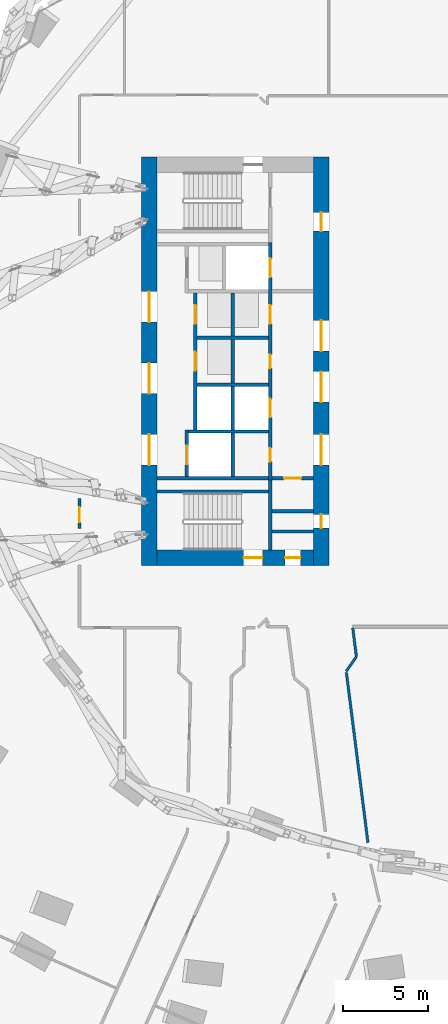
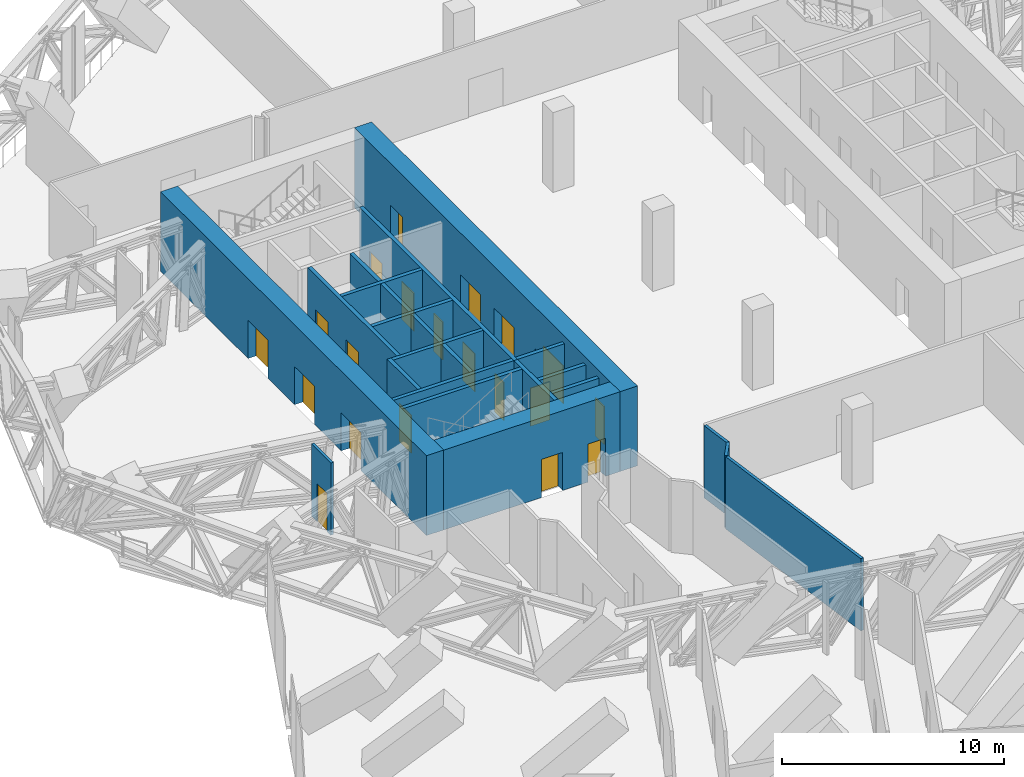
# One storey, part 28 of 39: 23 walls, 20 doors, 20 openings.
"""IFC4 building model written with IfcOpenShell, lengths in metres."""

import ifcopenshell
import ifcopenshell.guid

model = None  # the IFC model being written
_history = None  # IfcOwnerHistory: only IFC2X3 demands one
_inside = {}  # id of a spatial element -> (the spatial element, [elements in it])
_under = {}  # id of a project, library or spatial element -> (it, [spatial elements below it])
_declared = {}  # id of a project -> (the project, [libraries it declares])
_typed = {}  # id of a type object -> (the type object, [elements of that type])
_made_of = {}  # id of a material, layer set ... -> (it, [elements and type objects made of it])


def new_model(schema):
    """Start an empty IFC model of exactly this schema.

    Asked for "IFC4X3", IfcOpenShell would pick the latest addendum, in which some entities
    have other attributes; the version numbers below select the first issue.
    IFC2X3 requires an IfcOwnerHistory on every rooted entity: one is made here for all.
    """
    global model, _history
    if schema == "IFC4X3":
        model = ifcopenshell.file(schema_version=(4, 3, 0, 0))
    else:
        model = ifcopenshell.file(schema=schema)
    _inside.clear()
    _under.clear()
    _declared.clear()
    _typed.clear()
    _made_of.clear()
    _history = None
    if model.schema == "IFC2X3":
        org = make("IfcOrganization", Name="unknown")
        user = make(
            "IfcPersonAndOrganization",
            ThePerson=make("IfcPerson", FamilyName="unknown"),
            TheOrganization=org,
        )
        app = make(
            "IfcApplication",
            ApplicationDeveloper=org,
            Version="unknown",
            ApplicationFullName="unknown",
            ApplicationIdentifier="unknown",
        )
        _history = make(
            "IfcOwnerHistory",
            OwningUser=user,
            OwningApplication=app,
            ChangeAction="ADDED",
            CreationDate=0,
        )
    return model


def make(cls, **values):
    """One entity of the class cls with the attributes given. An attribute that is None is left unset."""
    return model.create_entity(
        cls, **{name: value for name, value in values.items() if value is not None}
    )


def rooted(cls, **values):
    """An entity with a GlobalId (a new one), such as an element, a storey or a relation."""
    return make(cls, GlobalId=ifcopenshell.guid.new(), OwnerHistory=_history, **values)


def si_unit(unit_type, name, prefix=None):
    """IfcSIUnit, for example si_unit("LENGTHUNIT", "METRE", prefix="MILLI")."""
    return make("IfcSIUnit", UnitType=unit_type, Prefix=prefix, Name=name)


def assignment(units):
    """IfcUnitAssignment: the units of a project."""
    return None if units is None else make("IfcUnitAssignment", Units=units)


def point(xyz):
    """IfcCartesianPoint."""
    return None if xyz is None else make("IfcCartesianPoint", Coordinates=xyz)


def direction(xyz):
    """IfcDirection."""
    return None if xyz is None else make("IfcDirection", DirectionRatios=xyz)


def frame(location, z_axis=None, x_axis=None):
    """IfcAxis2Placement3D, a coordinate frame: its origin and axes. An axis left out is left unset."""
    return make(
        "IfcAxis2Placement3D",
        Location=point(location),
        Axis=direction(z_axis),
        RefDirection=direction(x_axis),
    )


def frame_2d(location, x_axis=None):
    """IfcAxis2Placement2D, a coordinate frame in the plane: its origin and x axis."""
    return make(
        "IfcAxis2Placement2D", Location=point(location), RefDirection=direction(x_axis)
    )


def origin():
    """The frame at (0, 0, 0) with its axes left unset."""
    return frame((0.0, 0.0, 0.0))


def place(relative_to, where):
    """IfcLocalPlacement: puts the frame where relative to a parent placement (None: the world)."""
    return make(
        "IfcLocalPlacement", PlacementRelTo=relative_to, RelativePlacement=where
    )


def context(
    kind, dimensions, precision=None, world=None, true_north=None, identifier=None
):
    """IfcGeometricRepresentationContext, for example the 3D "Model" context."""
    return make(
        "IfcGeometricRepresentationContext",
        ContextIdentifier=identifier,
        ContextType=kind,
        CoordinateSpaceDimension=dimensions,
        Precision=precision,
        WorldCoordinateSystem=world,
        TrueNorth=true_north,
    )


def subcontext(parent, identifier, kind, view, scale=None):
    """IfcGeometricRepresentationSubContext, for example "Body" below "Model"."""
    return make(
        "IfcGeometricRepresentationSubContext",
        ContextIdentifier=identifier,
        ContextType=kind,
        ParentContext=parent,
        TargetScale=scale,
        TargetView=view,
    )


def project(units=None, contexts=None):
    """IfcProject with its units and contexts."""
    return rooted(
        "IfcProject",
        Name="project",
        RepresentationContexts=contexts,
        UnitsInContext=assignment(units),
    )


def spatial(cls, under=None, at=None, **own):
    """A site, building, storey or space (cls), placed at a placement, below another one or the project."""
    s = rooted(cls, ObjectPlacement=at, **own)
    if under is not None:
        _under.setdefault(under.id(), (under, []))[1].append(s)
    return s


def profile(cls, at=None, kind="AREA", **sizes):
    """A parametric profile (cls). Its sizes go by their IFC names, for example OverallWidth=200.0."""
    return make(cls, ProfileType=kind, Position=at, **sizes)


def rectangle(**sizes):
    """IfcRectangleProfileDef."""
    return profile("IfcRectangleProfileDef", **sizes)


def extrude(swept, where, along, depth):
    """IfcExtrudedAreaSolid: the profile swept, set in the frame where, extruded along a direction by depth."""
    return make(
        "IfcExtrudedAreaSolid",
        SweptArea=swept,
        Position=where,
        ExtrudedDirection=direction(along),
        Depth=depth,
    )


def shape(context_of_items, identifier, shape_type, items):
    """IfcShapeRepresentation: the items that make up one representation, for example the "Body"."""
    return make(
        "IfcShapeRepresentation",
        ContextOfItems=context_of_items,
        RepresentationIdentifier=identifier,
        RepresentationType=shape_type,
        Items=items,
    )


def material(Name=None, Category=None):
    """IfcMaterial."""
    return make("IfcMaterial", Name=Name, Category=Category)


def layer(
    of_material, thickness, ventilated=None, Name=None, Category=None, Priority=None
):
    """IfcMaterialLayer: one layer of a wall or slab, of a material (None: an air gap)."""
    return make(
        "IfcMaterialLayer",
        Material=of_material,
        LayerThickness=thickness,
        IsVentilated=ventilated,
        Name=Name,
        Category=Category,
        Priority=Priority,
    )


def layer_set(layers, Name=None):
    """IfcMaterialLayerSet."""
    return make("IfcMaterialLayerSet", MaterialLayers=layers, LayerSetName=Name)


def made_of(thing, what):
    """Note that an element or type object is made of a material, layer set ...; save() writes the relation."""
    if what is not None:
        _made_of.setdefault(what.id(), (what, []))[1].append(thing)
    return thing


def type_object(cls, material=None, **own):
    """A type object (cls), such as IfcWallType, which elements share."""
    return made_of(rooted(cls, **own), material)


def element(
    cls,
    number,
    at=None,
    inside=None,
    cuts=None,
    type_object=None,
    material=None,
    context=None,
    identifier="Body",
    shape_type=None,
    held_by="IfcProductDefinitionShape",
    body=None,
    shapes=None,
    **own,
):
    """One element of the class cls, such as IfcWall. Its Tag is "e" and its number.

    at: its placement. inside: the storey or other place that contains it. cuts: it is an
    opening in that element (IfcRelVoidsElement). A single representation is given by context,
    identifier, shape_type and body (its items); several are given by shapes. held_by: the class
    of the entity that holds the representations. save() writes the other relations.
    """
    e = rooted(cls, Tag="e%d" % number, ObjectPlacement=at, **own)
    if body is not None:
        shapes = [shape(context, identifier, shape_type, body)]
    if shapes is not None:
        e.Representation = make(held_by, Representations=shapes)
    if inside is not None:
        _inside.setdefault(inside.id(), (inside, []))[1].append(e)
    if cuts is not None:
        rooted(
            "IfcRelVoidsElement", RelatingBuildingElement=cuts, RelatedOpeningElement=e
        )
    if type_object is not None:
        _typed.setdefault(type_object.id(), (type_object, []))[1].append(e)
    return made_of(e, material)


def fill(opening, filler):
    """IfcRelFillsElement: the door or window that sits in an opening."""
    return rooted(
        "IfcRelFillsElement",
        RelatingOpeningElement=opening,
        RelatedBuildingElement=filler,
    )


def aggregate(whole, parts):
    """IfcRelAggregates: a whole, such as a stair, and the parts it consists of."""
    return rooted("IfcRelAggregates", RelatingObject=whole, RelatedObjects=parts)


def save(model, path):
    """Write the relations noted so far, then the file.

    IfcRelAggregates (storeys below a building ...), IfcRelContainedInSpatialStructure (elements
    in a storey), IfcRelDefinesByType, IfcRelAssociatesMaterial and IfcRelDeclares: one each for
    every whole, place, type object, material and project.
    """
    for whole, parts in _under.values():
        aggregate(whole, parts)
    for where, things in _inside.values():
        rooted(
            "IfcRelContainedInSpatialStructure",
            RelatedElements=things,
            RelatingStructure=where,
        )
    for kind, things in _typed.values():
        rooted("IfcRelDefinesByType", RelatedObjects=things, RelatingType=kind)
    for what, things in _made_of.values():
        rooted("IfcRelAssociatesMaterial", RelatedObjects=things, RelatingMaterial=what)
    for by, libraries in _declared.values():
        rooted("IfcRelDeclares", RelatingContext=by, RelatedDefinitions=libraries)
    model.write(path)


model = new_model("IFC4")

# Units and contexts
model_context = context("Model", 3, precision=1e-05, world=origin(), true_north=direction((0.0, 1.0)))
body_context = subcontext(model_context, "Body", "Model", "MODEL_VIEW")
ifc_project = project(units=[si_unit("LENGTHUNIT", "METRE"), si_unit("AREAUNIT", "SQUARE_METRE"), si_unit("VOLUMEUNIT", "CUBIC_METRE"), si_unit("PLANEANGLEUNIT", "RADIAN"), si_unit("MASSUNIT", "GRAM", prefix="KILO")], contexts=[model_context])

# Site, building, storey
site_placement = place(None, origin())
site = spatial("IfcSite", under=ifc_project, at=site_placement, CompositionType="ELEMENT")
building_placement = place(site_placement, origin())
building = spatial("IfcBuilding", under=site, at=building_placement, Name="Orlundy Tower", CompositionType="ELEMENT")
storey_placement = place(building_placement, frame((0.0, 0.0, 141.199951171875)))
storey = spatial("IfcBuildingStorey", under=building, at=storey_placement, Name="L36", CompositionType="ELEMENT", Elevation=141.199951171875)

# Wall, openings, doors
ifc_material_1 = material(Name="Concrete C80/95", Category="concrete")
ifc_layer_1 = layer(ifc_material_1, 0.89990234375)
ifc_layer_set_1 = layer_set([ifc_layer_1], Name="CORE WALL 900 C80/95")
wall_type_1 = type_object("IfcWallType", Name="CORE WALL 900 C80/95", PredefinedType="SHEAR", material=ifc_layer_set_1)
wall_1_placement = place(storey_placement, frame((-18.10009765625, -11.550048828125, 0.0), z_axis=(0.0, 0.0, 1.0), x_axis=(1.0, 0.0, 0.0)))
wall_1 = element("IfcWall", 1, at=wall_1_placement, inside=storey, type_object=wall_type_1, Name="Core wall W-S L36", PredefinedType="SHEAR", context=body_context, shape_type="SweptSolid", body=[
    extrude(rectangle(XDim=9.2001953125, YDim=0.89990234375, at=frame_2d((4.60009765625, 0.0))), origin(), (0.0, 0.0, 1.0), 4.400146484375),
])
opening_1_placement = place(wall_1_placement, frame((5.10009765625, 0.0, 0.0)))
opening_1 = element("IfcOpeningElement", 2, at=opening_1_placement, cuts=wall_1, Name="Opening 27018", PredefinedType="OPENING", context=body_context, shape_type="SweptSolid", body=[
    extrude(rectangle(XDim=1.10009765625, YDim=2.10009765625, at=frame_2d((0.550048828125, 1.050048828125))), frame((0.0, 0.4599609375, 0.0), z_axis=(0.0, -1.0, 0.0), x_axis=(1.0, 0.0, 0.0)), (0.0, 0.0, 1.0), 0.919921875),
])
opening_2_placement = place(wall_1_placement, frame((7.530029296875, 0.0, 0.0)))
opening_2 = element("IfcOpeningElement", 3, at=opening_2_placement, cuts=wall_1, Name="Opening 27020", PredefinedType="OPENING", context=body_context, shape_type="SweptSolid", body=[
    extrude(rectangle(XDim=0.89990234375, YDim=2.10009765625, at=frame_2d((0.449951171875, 1.050048828125))), frame((0.0, 0.4599609375, 0.0), z_axis=(0.0, -1.0, 0.0), x_axis=(1.0, 0.0, 0.0)), (0.0, 0.0, 1.0), 0.919921875),
])
ifc_material_2 = material(Name="Timber door set", Category="wood")
door_type_1 = type_object("IfcDoorType", Name="Room Door 900x2100", OperationType="SINGLE_SWING_LEFT", PredefinedType="DOOR", material=ifc_material_2)
door_1_placement = place(opening_2_placement, origin())
door_1 = element("IfcDoor", 4, at=door_1_placement, inside=storey, type_object=door_type_1, Name="Store door 27020", OperationType="SINGLE_SWING_RIGHT", OverallHeight=2.10009765625, OverallWidth=0.89990234375, PredefinedType="DOOR", context=body_context, shape_type="SweptSolid", body=[
    extrude(rectangle(XDim=0.89990234375, YDim=2.10009765625, at=frame_2d((0.449951171875, 1.050048828125))), frame((0.0, 0.02490234375, 0.0), z_axis=(0.0, -1.0, 0.0), x_axis=(1.0, 0.0, 0.0)), (0.0, 0.0, 1.0), 0.050048828125),
])
fill(opening_2, door_1)
ifc_material_3 = material(Name="Steel door set", Category="steel")
door_type_2 = type_object("IfcDoorType", Name="Stair Door 1100x2100", OperationType="SINGLE_SWING_LEFT", PredefinedType="DOOR", material=ifc_material_3)
door_2_placement = place(opening_1_placement, origin())
door_2 = element("IfcDoor", 5, at=door_2_placement, inside=storey, type_object=door_type_2, Name="Stair door 27018", OperationType="SINGLE_SWING_RIGHT", OverallHeight=2.10009765625, OverallWidth=1.10009765625, PredefinedType="DOOR", context=body_context, shape_type="SweptSolid", body=[
    extrude(rectangle(XDim=1.10009765625, YDim=2.10009765625, at=frame_2d((0.550048828125, 1.050048828125))), frame((0.0, 0.02490234375, 0.0), z_axis=(0.0, -1.0, 0.0), x_axis=(1.0, 0.0, 0.0)), (0.0, 0.0, 1.0), 0.050048828125),
])
fill(opening_1, door_2)

wall_2_placement = place(storey_placement, frame((-18.550048828125, -12.0, 0.0), z_axis=(0.0, 0.0, 1.0), x_axis=(0.0, 1.0, 0.0)))
wall_2 = element("IfcWall", 6, at=wall_2_placement, inside=storey, type_object=wall_type_1, Name="Core wall W-W L36", PredefinedType="SHEAR", context=body_context, shape_type="SweptSolid", body=[
    extrude(rectangle(XDim=24.0, YDim=0.89990234375, at=frame_2d((12.0, 0.0))), origin(), (0.0, 0.0, 1.0), 4.400146484375),
])
opening_3_placement = place(wall_2_placement, frame((5.89990234375, 0.0, 0.0)))
opening_3 = element("IfcOpeningElement", 7, at=opening_3_placement, cuts=wall_2, Name="Opening 27011", PredefinedType="OPENING", context=body_context, shape_type="SweptSolid", body=[
    extrude(rectangle(XDim=1.800048828125, YDim=2.10009765625, at=frame_2d((0.89990234375, 1.050048828125))), frame((0.0, 0.4599609375, 0.0), z_axis=(0.0, -1.0, 0.0), x_axis=(1.0, 0.0, 0.0)), (0.0, 0.0, 1.0), 0.919921875),
])
opening_4_placement = place(wall_2_placement, frame((10.10009765625, 0.0, 0.0)))
opening_4 = element("IfcOpeningElement", 8, at=opening_4_placement, cuts=wall_2, Name="Opening 27012", PredefinedType="OPENING", context=body_context, shape_type="SweptSolid", body=[
    extrude(rectangle(XDim=1.800048828125, YDim=2.10009765625, at=frame_2d((0.89990234375, 1.050048828125))), frame((0.0, 0.4599609375, 0.0), z_axis=(0.0, -1.0, 0.0), x_axis=(1.0, 0.0, 0.0)), (0.0, 0.0, 1.0), 0.919921875),
])
opening_5_placement = place(wall_2_placement, frame((14.300048828125, 0.0, 0.0)))
opening_5 = element("IfcOpeningElement", 9, at=opening_5_placement, cuts=wall_2, Name="Opening 27013", PredefinedType="OPENING", context=body_context, shape_type="SweptSolid", body=[
    extrude(rectangle(XDim=1.800048828125, YDim=2.10009765625, at=frame_2d((0.89990234375, 1.050048828125))), frame((0.0, 0.4599609375, 0.0), z_axis=(0.0, -1.0, 0.0), x_axis=(1.0, 0.0, 0.0)), (0.0, 0.0, 1.0), 0.919921875),
])
ifc_material_4 = material(Name="Timber door set", Category="wood")
door_type_3 = type_object("IfcDoorType", Name="Lobby Door 1800x2100", OperationType="DOUBLE_DOOR_DOUBLE_SWING", PredefinedType="DOOR", material=ifc_material_4)
door_3_placement = place(opening_3_placement, origin())
door_3 = element("IfcDoor", 10, at=door_3_placement, inside=storey, type_object=door_type_3, Name="Lift lobby door 27011", OperationType="SINGLE_SWING_LEFT", OverallHeight=2.10009765625, OverallWidth=1.800048828125, PredefinedType="DOOR", context=body_context, shape_type="SweptSolid", body=[
    extrude(rectangle(XDim=1.800048828125, YDim=2.10009765625, at=frame_2d((0.89990234375, 1.050048828125))), frame((0.0, 0.02490234375, 0.0), z_axis=(0.0, -1.0, 0.0), x_axis=(1.0, 0.0, 0.0)), (0.0, 0.0, 1.0), 0.050048828125),
])
fill(opening_3, door_3)
door_4_placement = place(opening_4_placement, origin())
door_4 = element("IfcDoor", 11, at=door_4_placement, inside=storey, type_object=door_type_3, Name="Lift lobby door 27012", OperationType="SINGLE_SWING_LEFT", OverallHeight=2.10009765625, OverallWidth=1.800048828125, PredefinedType="DOOR", context=body_context, shape_type="SweptSolid", body=[
    extrude(rectangle(XDim=1.800048828125, YDim=2.10009765625, at=frame_2d((0.89990234375, 1.050048828125))), frame((0.0, 0.02490234375, 0.0), z_axis=(0.0, -1.0, 0.0), x_axis=(1.0, 0.0, 0.0)), (0.0, 0.0, 1.0), 0.050048828125),
])
fill(opening_4, door_4)
door_5_placement = place(opening_5_placement, origin())
door_5 = element("IfcDoor", 12, at=door_5_placement, inside=storey, type_object=door_type_3, Name="Lift lobby door 27013", OperationType="SINGLE_SWING_RIGHT", OverallHeight=2.10009765625, OverallWidth=1.800048828125, PredefinedType="DOOR", context=body_context, shape_type="SweptSolid", body=[
    extrude(rectangle(XDim=1.800048828125, YDim=2.10009765625, at=frame_2d((0.89990234375, 1.050048828125))), frame((0.0, 0.02490234375, 0.0), z_axis=(0.0, -1.0, 0.0), x_axis=(1.0, 0.0, 0.0)), (0.0, 0.0, 1.0), 0.050048828125),
])
fill(opening_5, door_5)

wall_3_placement = place(storey_placement, frame((-8.449951171875, -12.0, 0.0), z_axis=(0.0, 0.0, 1.0), x_axis=(0.0, 1.0, 0.0)))
wall_3 = element("IfcWall", 13, at=wall_3_placement, inside=storey, type_object=wall_type_1, Name="Core wall W-E L36", PredefinedType="SHEAR", context=body_context, shape_type="SweptSolid", body=[
    extrude(rectangle(XDim=24.0, YDim=0.89990234375, at=frame_2d((12.0, 0.0))), origin(), (0.0, 0.0, 1.0), 4.400146484375),
])
opening_6_placement = place(wall_3_placement, frame((9.60009765625, 0.0, 0.0)))
opening_6 = element("IfcOpeningElement", 14, at=opening_6_placement, cuts=wall_3, Name="Opening 27010", PredefinedType="OPENING", context=body_context, shape_type="SweptSolid", body=[
    extrude(rectangle(XDim=1.800048828125, YDim=2.10009765625, at=frame_2d((0.89990234375, 1.050048828125))), frame((0.0, 0.4599609375, 0.0), z_axis=(0.0, -1.0, 0.0), x_axis=(1.0, 0.0, 0.0)), (0.0, 0.0, 1.0), 0.919921875),
])
opening_7_placement = place(wall_3_placement, frame((5.89990234375, 0.0, 0.0)))
opening_7 = element("IfcOpeningElement", 15, at=opening_7_placement, cuts=wall_3, Name="Opening 27014", PredefinedType="OPENING", context=body_context, shape_type="SweptSolid", body=[
    extrude(rectangle(XDim=1.800048828125, YDim=2.10009765625, at=frame_2d((0.89990234375, 1.050048828125))), frame((0.0, 0.4599609375, 0.0), z_axis=(0.0, -1.0, 0.0), x_axis=(1.0, 0.0, 0.0)), (0.0, 0.0, 1.0), 0.919921875),
])
opening_8_placement = place(wall_3_placement, frame((12.60009765625, 0.0, 0.0)))
opening_8 = element("IfcOpeningElement", 16, at=opening_8_placement, cuts=wall_3, Name="Opening 27015", PredefinedType="OPENING", context=body_context, shape_type="SweptSolid", body=[
    extrude(rectangle(XDim=1.800048828125, YDim=2.10009765625, at=frame_2d((0.89990234375, 1.050048828125))), frame((0.0, 0.4599609375, 0.0), z_axis=(0.0, -1.0, 0.0), x_axis=(1.0, 0.0, 0.0)), (0.0, 0.0, 1.0), 0.919921875),
])
opening_9_placement = place(wall_3_placement, frame((19.64990234375, 0.0, 0.0)))
opening_9 = element("IfcOpeningElement", 17, at=opening_9_placement, cuts=wall_3, Name="Opening 27016", PredefinedType="OPENING", context=body_context, shape_type="SweptSolid", body=[
    extrude(rectangle(XDim=1.10009765625, YDim=2.10009765625, at=frame_2d((0.550048828125, 1.050048828125))), frame((0.0, 0.4599609375, 0.0), z_axis=(0.0, -1.0, 0.0), x_axis=(1.0, 0.0, 0.0)), (0.0, 0.0, 1.0), 0.919921875),
])
opening_10_placement = place(wall_3_placement, frame((2.199951171875, 0.0, 0.0)))
opening_10 = element("IfcOpeningElement", 18, at=opening_10_placement, cuts=wall_3, Name="Opening 27021", PredefinedType="OPENING", context=body_context, shape_type="SweptSolid", body=[
    extrude(rectangle(XDim=0.800048828125, YDim=2.10009765625, at=frame_2d((0.39990234375, 1.050048828125))), frame((0.0, 0.4599609375, 0.0), z_axis=(0.0, -1.0, 0.0), x_axis=(1.0, 0.0, 0.0)), (0.0, 0.0, 1.0), 0.919921875),
])
ifc_material_5 = material(Name="Steel door set", Category="steel")
door_type_4 = type_object("IfcDoorType", Name="Fire-fighting Lobby Door 1100x2100", OperationType="SINGLE_SWING_LEFT", PredefinedType="DOOR", material=ifc_material_5)
door_6_placement = place(opening_9_placement, origin())
door_6 = element("IfcDoor", 19, at=door_6_placement, inside=storey, type_object=door_type_4, Name="Fire-fighting lobby door 27016", OperationType="SINGLE_SWING_RIGHT", OverallHeight=2.10009765625, OverallWidth=1.10009765625, PredefinedType="DOOR", context=body_context, shape_type="SweptSolid", body=[
    extrude(rectangle(XDim=1.10009765625, YDim=2.10009765625, at=frame_2d((0.550048828125, 1.050048828125))), frame((0.0, 0.02490234375, 0.0), z_axis=(0.0, -1.0, 0.0), x_axis=(1.0, 0.0, 0.0)), (0.0, 0.0, 1.0), 0.050048828125),
])
fill(opening_9, door_6)
door_7_placement = place(opening_6_placement, origin())
door_7 = element("IfcDoor", 20, at=door_7_placement, inside=storey, type_object=door_type_3, Name="Lift lobby door 27010", OperationType="SINGLE_SWING_LEFT", OverallHeight=2.10009765625, OverallWidth=1.800048828125, PredefinedType="DOOR", context=body_context, shape_type="SweptSolid", body=[
    extrude(rectangle(XDim=1.800048828125, YDim=2.10009765625, at=frame_2d((0.89990234375, 1.050048828125))), frame((0.0, 0.02490234375, 0.0), z_axis=(0.0, -1.0, 0.0), x_axis=(1.0, 0.0, 0.0)), (0.0, 0.0, 1.0), 0.050048828125),
])
fill(opening_6, door_7)
door_8_placement = place(opening_7_placement, origin())
door_8 = element("IfcDoor", 21, at=door_8_placement, inside=storey, type_object=door_type_3, Name="Lift lobby door 27014", OperationType="SINGLE_SWING_LEFT", OverallHeight=2.10009765625, OverallWidth=1.800048828125, PredefinedType="DOOR", context=body_context, shape_type="SweptSolid", body=[
    extrude(rectangle(XDim=1.800048828125, YDim=2.10009765625, at=frame_2d((0.89990234375, 1.050048828125))), frame((0.0, 0.02490234375, 0.0), z_axis=(0.0, -1.0, 0.0), x_axis=(1.0, 0.0, 0.0)), (0.0, 0.0, 1.0), 0.050048828125),
])
fill(opening_7, door_8)
door_9_placement = place(opening_8_placement, origin())
door_9 = element("IfcDoor", 22, at=door_9_placement, inside=storey, type_object=door_type_3, Name="Lift lobby door 27015", OperationType="SINGLE_SWING_RIGHT", OverallHeight=2.10009765625, OverallWidth=1.800048828125, PredefinedType="DOOR", context=body_context, shape_type="SweptSolid", body=[
    extrude(rectangle(XDim=1.800048828125, YDim=2.10009765625, at=frame_2d((0.89990234375, 1.050048828125))), frame((0.0, 0.02490234375, 0.0), z_axis=(0.0, -1.0, 0.0), x_axis=(1.0, 0.0, 0.0)), (0.0, 0.0, 1.0), 0.050048828125),
])
fill(opening_8, door_9)
ifc_material_6 = material(Name="Timber door set", Category="wood")
door_type_5 = type_object("IfcDoorType", Name="Riser Door 800x2100", OperationType="SINGLE_SWING_LEFT", PredefinedType="DOOR", material=ifc_material_6)
door_10_placement = place(opening_10_placement, origin())
door_10 = element("IfcDoor", 23, at=door_10_placement, inside=storey, type_object=door_type_5, Name="Door 27021", OperationType="SINGLE_SWING_LEFT", OverallHeight=2.10009765625, OverallWidth=0.800048828125, PredefinedType="DOOR", context=body_context, shape_type="SweptSolid", body=[
    extrude(rectangle(XDim=0.800048828125, YDim=2.10009765625, at=frame_2d((0.39990234375, 1.050048828125))), frame((0.0, 0.02490234375, 0.0), z_axis=(0.0, -1.0, 0.0), x_axis=(1.0, 0.0, 0.0)), (0.0, 0.0, 1.0), 0.050048828125),
])
fill(opening_10, door_10)

# Walls
ifc_material_7 = material(Name="Blockwork shaft wall", Category="masonry")
ifc_layer_2 = layer(ifc_material_7, 0.14990234375)
ifc_layer_set_2 = layer_set([ifc_layer_2], Name="Floor shaft wall 150")
wall_type_2 = type_object("IfcWallType", Name="Floor shaft wall 150", PredefinedType="PARTITIONING", material=ifc_layer_set_2)
wall_4_placement = place(storey_placement, frame((-6.962890625, -18.2880859375, 0.0), z_axis=(0.0, 0.0, 1.0), x_axis=(0.125655911579, -0.992073884287, 0.0)))
element("IfcWall", 24, at=wall_4_placement, inside=storey, type_object=wall_type_2, Name="wall-int-L36-007", PredefinedType="PARTITIONING", context=body_context, shape_type="SweptSolid", body=[
    extrude(rectangle(XDim=10.081787109375, YDim=0.14990234375, at=frame_2d((5.041015625, 0.0))), origin(), (0.0, 0.0, 1.0), 3.97998046875),
])
wall_5_placement = place(storey_placement, frame((-6.587890625, -15.674072265625, 0.0), z_axis=(0.0, 0.0, 1.0), x_axis=(0.125504874305, -0.992093002962, 0.0)))
element("IfcWall", 25, at=wall_5_placement, inside=storey, type_object=wall_type_2, Name="wall-int-L36-008", PredefinedType="PARTITIONING", context=body_context, shape_type="SweptSolid", body=[
    extrude(rectangle(XDim=1.6962890625, YDim=0.14990234375, at=frame_2d((0.84814453125, 0.0))), origin(), (0.0, 0.0, 1.0), 3.97998046875),
])
wall_6_placement = place(storey_placement, frame((-6.971923828125, -18.214111328125, 0.0), z_axis=(0.0, 0.0, 1.0), x_axis=(0.571468458312, 0.820624031548, 0.0)))
element("IfcWall", 26, at=wall_6_placement, inside=storey, type_object=wall_type_2, Name="wall-int-L36-045", PredefinedType="PARTITIONING", context=body_context, shape_type="SweptSolid", body=[
    extrude(rectangle(XDim=1.04443359375, YDim=0.14990234375, at=frame_2d((0.522216796875, 0.0))), origin(), (0.0, 0.0, 1.0), 3.97998046875),
])

# Wall, opening, door
wall_7_placement = place(storey_placement, frame((-22.64990234375, -9.821044921875, 0.0), z_axis=(0.0, 0.0, 1.0), x_axis=(0.0, 1.0, 0.0)))
wall_7 = element("IfcWall", 27, at=wall_7_placement, inside=storey, type_object=wall_type_2, Name="wall-int-L36-091", PredefinedType="PARTITIONING", context=body_context, shape_type="SweptSolid", body=[
    extrude(rectangle(XDim=1.759033203125, YDim=0.14990234375, at=frame_2d((0.87939453125, 0.0))), origin(), (0.0, 0.0, 1.0), 3.97998046875),
])
opening_11_placement = place(wall_7_placement, frame((0.35009765625, 0.0, 0.0)))
opening_11 = element("IfcOpeningElement", 28, at=opening_11_placement, cuts=wall_7, Name="Opening 27122", PredefinedType="OPENING", context=body_context, shape_type="SweptSolid", body=[
    extrude(rectangle(XDim=0.89990234375, YDim=2.10009765625, at=frame_2d((0.449951171875, 1.050048828125))), frame((0.0, 0.0849609375, 0.0), z_axis=(0.0, -1.0, 0.0), x_axis=(1.0, 0.0, 0.0)), (0.0, 0.0, 1.0), 0.169921875),
])
ifc_material_8 = material(Name="Timber door leaf", Category="wood")
door_type_6 = type_object("IfcDoorType", Name="Floor door single 900 FD60", OperationType="NOTDEFINED", PredefinedType="DOOR", material=ifc_material_8)
door_11_placement = place(opening_11_placement, origin())
door_11 = element("IfcDoor", 29, at=door_11_placement, inside=storey, type_object=door_type_6, Name="Door 27122", OperationType="SINGLE_SWING_LEFT", OverallHeight=2.10009765625, OverallWidth=0.89990234375, PredefinedType="DOOR", context=body_context, shape_type="SweptSolid", body=[
    extrude(rectangle(XDim=0.89990234375, YDim=2.10009765625, at=frame_2d((0.449951171875, 1.050048828125))), frame((0.0, 0.02490234375, 0.0), z_axis=(0.0, -1.0, 0.0), x_axis=(1.0, 0.0, 0.0)), (0.0, 0.0, 1.0), 0.050048828125),
])
fill(opening_11, door_11)

# Walls
ifc_material_9 = material(Name="Concrete C40/50", Category="concrete")
ifc_layer_3 = layer(ifc_material_9, 0.199951171875)
ifc_layer_set_3 = layer_set([ifc_layer_3], Name="Load-bearing Shaft Wall 200")
wall_type_3 = type_object("IfcWallType", Name="Load-bearing Shaft Wall 200", PredefinedType="SOLIDWALL", material=ifc_layer_set_3)
wall_8_placement = place(storey_placement, frame((-11.43994140625, -11.10009765625, 0.0), z_axis=(0.0, 0.0, 1.0), x_axis=(0.0, 1.0, 0.0)))
element("IfcWall", 30, at=wall_8_placement, inside=storey, type_object=wall_type_3, Name="Shaft wall W27-stair-end-s", PredefinedType="SOLIDWALL", context=body_context, shape_type="SweptSolid", body=[
    extrude(rectangle(XDim=4.125, YDim=0.199951171875, at=frame_2d((2.0625, 0.0))), origin(), (0.0, 0.0, 1.0), 3.989990234375),
])
wall_9_placement = place(storey_placement, frame((-11.5400390625, -7.64990234375, 0.0), z_axis=(0.0, 0.0, 1.0), x_axis=(-1.0, 0.0, 0.0)))
element("IfcWall", 31, at=wall_9_placement, inside=storey, type_object=wall_type_3, Name="Shaft wall W27-stair-side-s", PredefinedType="SOLIDWALL", context=body_context, shape_type="SweptSolid", body=[
    extrude(rectangle(XDim=6.56005859375, YDim=0.199951171875, at=frame_2d((3.280029296875, 0.0))), origin(), (0.0, 0.0, 1.0), 3.989990234375),
])

# Wall, opening, door
ifc_material_10 = material(Name="Gypsum board partition on steel studs", Category="steel")
ifc_layer_4 = layer(ifc_material_10, 0.199951171875)
ifc_layer_set_4 = layer_set([ifc_layer_4], Name="Partition 200")
wall_type_4 = type_object("IfcWallType", Name="Partition 200", PredefinedType="PARTITIONING", material=ifc_layer_set_4)
wall_10_placement = place(storey_placement, frame((-8.89990234375, -6.875, 0.0), z_axis=(0.0, 0.0, 1.0), x_axis=(-1.0, 0.0, 0.0)))
wall_10 = element("IfcWall", 32, at=wall_10_placement, inside=storey, type_object=wall_type_4, Name="Partition wall W27-end-s", PredefinedType="PARTITIONING", context=body_context, shape_type="SweptSolid", body=[
    extrude(rectangle(XDim=2.440185546875, YDim=0.199951171875, at=frame_2d((1.22021484375, 0.0))), origin(), (0.0, 0.0, 1.0), 3.989990234375),
])
opening_12_placement = place(wall_10_placement, frame((0.719970703125, 0.0, 0.0)))
opening_12 = element("IfcOpeningElement", 33, at=opening_12_placement, cuts=wall_10, Name="Opening 27022", PredefinedType="OPENING", context=body_context, shape_type="SweptSolid", body=[
    extrude(rectangle(XDim=1.0, YDim=2.10009765625, at=frame_2d((0.5, 1.050048828125))), frame((0.0, 0.110107421875, 0.0), z_axis=(0.0, -1.0, 0.0), x_axis=(1.0, 0.0, 0.0)), (0.0, 0.0, 1.0), 0.22021484375),
])
ifc_material_11 = material(Name="Timber door set", Category="wood")
door_type_7 = type_object("IfcDoorType", Name="Accessible Door 1000x2100", OperationType="SINGLE_SWING_LEFT", PredefinedType="DOOR", material=ifc_material_11)
door_12_placement = place(opening_12_placement, origin())
door_12 = element("IfcDoor", 34, at=door_12_placement, inside=storey, type_object=door_type_7, Name="Accessible WC door 27022", OperationType="SINGLE_SWING_RIGHT", OverallHeight=2.10009765625, OverallWidth=1.0, PredefinedType="DOOR", context=body_context, shape_type="SweptSolid", body=[
    extrude(rectangle(XDim=1.0, YDim=2.10009765625, at=frame_2d((0.5, 1.050048828125))), frame((0.0, 0.02490234375, 0.0), z_axis=(0.0, -1.0, 0.0), x_axis=(1.0, 0.0, 0.0)), (0.0, 0.0, 1.0), 0.050048828125),
])
fill(opening_12, door_12)

# Walls
for number, where, z_axis, x_axis, name in (
    (35, (-8.89990234375, -10.0, 0.0), (0.0, 0.0, 1.0), (-1.0, 0.0, 0.0), "Partition wall W27-room-s0"),
    (36, (-8.89990234375, -8.800048828125, 0.0), (0.0, 0.0, 1.0), (-1.0, 0.0, 0.0), "Partition wall W27-room-s1"),
):
    element("IfcWall", number, at=place(storey_placement, frame(where, z_axis=z_axis, x_axis=x_axis)), inside=storey, type_object=wall_type_4, Name=name, PredefinedType="PARTITIONING", context=body_context, shape_type="SweptSolid", body=[
        extrude(rectangle(XDim=2.440185546875, YDim=0.199951171875, at=frame_2d((1.22021484375, 0.0))), origin(), (0.0, 0.0, 1.0), 3.989990234375),
    ])
ifc_material_12 = material(Name="Fire-rated blockwork shaft wall", Category="masonry")
ifc_layer_5 = layer(ifc_material_12, 0.199951171875)
ifc_layer_set_5 = layer_set([ifc_layer_5], Name="Shaft Wall 200")
wall_type_5 = type_object("IfcWallType", Name="Shaft Wall 200", PredefinedType="SOLIDWALL", material=ifc_layer_set_5)
wall_11_placement = place(storey_placement, frame((-11.5400390625, -6.875, 0.0), z_axis=(0.0, 0.0, 1.0), x_axis=(-1.0, 0.0, 0.0)))
element("IfcWall", 37, at=wall_11_placement, inside=storey, type_object=wall_type_5, Name="Shaft wall W27-zone-s", PredefinedType="SOLIDWALL", context=body_context, shape_type="SweptSolid", body=[
    extrude(rectangle(XDim=6.56005859375, YDim=0.199951171875, at=frame_2d((3.280029296875, 0.0))), origin(), (0.0, 0.0, 1.0), 3.989990234375),
])
wall_12_placement = place(storey_placement, frame((-11.5400390625, -4.125, 0.0), z_axis=(0.0, 0.0, 1.0), x_axis=(-1.0, 0.0, 0.0)))
element("IfcWall", 38, at=wall_12_placement, inside=storey, type_object=wall_type_5, Name="Shaft wall W27-cross-4.125", PredefinedType="SOLIDWALL", context=body_context, shape_type="SweptSolid", body=[
    extrude(rectangle(XDim=4.699951171875, YDim=0.199951171875, at=frame_2d((2.35009765625, 0.0))), origin(), (0.0, 0.0, 1.0), 3.989990234375),
])
for number, where, z_axis, x_axis, name in (
    (39, (-11.5400390625, -1.375, 0.0), (0.0, 0.0, 1.0), (-1.0, 0.0, 0.0), "Shaft wall W27-cross-1.375"),
    (40, (-11.5400390625, 1.375, 0.0), (0.0, 0.0, 1.0), (-1.0, 0.0, 0.0), "Shaft wall W27-cross+1.375"),
):
    element("IfcWall", number, at=place(storey_placement, frame(where, z_axis=z_axis, x_axis=x_axis)), inside=storey, type_object=wall_type_5, Name=name, PredefinedType="SOLIDWALL", context=body_context, shape_type="SweptSolid", body=[
        extrude(rectangle(XDim=4.199951171875, YDim=0.199951171875, at=frame_2d((2.10009765625, 0.0))), origin(), (0.0, 0.0, 1.0), 3.989990234375),
    ])

# Wall, openings, doors
wall_13_placement = place(storey_placement, frame((-11.43994140625, -6.97509765625, 0.0), z_axis=(0.0, 0.0, 1.0), x_axis=(0.0, 1.0, 0.0)))
wall_13 = element("IfcWall", 41, at=wall_13_placement, inside=storey, type_object=wall_type_5, Name="Shaft wall W27-front-h", PredefinedType="SOLIDWALL", context=body_context, shape_type="SweptSolid", body=[
    extrude(rectangle(XDim=13.9501953125, YDim=0.199951171875, at=frame_2d((6.97509765625, 0.0))), origin(), (0.0, 0.0, 1.0), 3.989990234375),
])
opening_13_placement = place(wall_13_placement, frame((3.675048828125, 0.0, 0.0)))
opening_13 = element("IfcOpeningElement", 42, at=opening_13_placement, cuts=wall_13, Name="Opening 27002", PredefinedType="OPENING", context=body_context, shape_type="SweptSolid", body=[
    extrude(rectangle(XDim=1.10009765625, YDim=2.10009765625, at=frame_2d((0.550048828125, 1.050048828125))), frame((0.0, 0.110107421875, 0.0), z_axis=(0.0, -1.0, 0.0), x_axis=(1.0, 0.0, 0.0)), (0.0, 0.0, 1.0), 0.22021484375),
])
opening_14_placement = place(wall_13_placement, frame((9.175048828125, 0.0, 0.0)))
opening_14 = element("IfcOpeningElement", 43, at=opening_14_placement, cuts=wall_13, Name="Opening 27004", PredefinedType="OPENING", context=body_context, shape_type="SweptSolid", body=[
    extrude(rectangle(XDim=1.10009765625, YDim=2.10009765625, at=frame_2d((0.550048828125, 1.050048828125))), frame((0.0, 0.110107421875, 0.0), z_axis=(0.0, -1.0, 0.0), x_axis=(1.0, 0.0, 0.0)), (0.0, 0.0, 1.0), 0.22021484375),
])
opening_15_placement = place(wall_13_placement, frame((11.925048828125, 0.0, 0.0)))
opening_15 = element("IfcOpeningElement", 44, at=opening_15_placement, cuts=wall_13, Name="Opening 27006", PredefinedType="OPENING", context=body_context, shape_type="SweptSolid", body=[
    extrude(rectangle(XDim=1.10009765625, YDim=2.10009765625, at=frame_2d((0.550048828125, 1.050048828125))), frame((0.0, 0.110107421875, 0.0), z_axis=(0.0, -1.0, 0.0), x_axis=(1.0, 0.0, 0.0)), (0.0, 0.0, 1.0), 0.22021484375),
])
opening_16_placement = place(wall_13_placement, frame((1.074951171875, 0.0, 0.0)))
opening_16 = element("IfcOpeningElement", 45, at=opening_16_placement, cuts=wall_13, Name="Opening 27008", PredefinedType="OPENING", context=body_context, shape_type="SweptSolid", body=[
    extrude(rectangle(XDim=0.800048828125, YDim=2.10009765625, at=frame_2d((0.39990234375, 1.050048828125))), frame((0.0, 0.110107421875, 0.0), z_axis=(0.0, -1.0, 0.0), x_axis=(1.0, 0.0, 0.0)), (0.0, 0.0, 1.0), 0.22021484375),
])
opening_17_placement = place(wall_13_placement, frame((6.574951171875, 0.0, 0.0)))
opening_17 = element("IfcOpeningElement", 46, at=opening_17_placement, cuts=wall_13, Name="Opening 27009", PredefinedType="OPENING", context=body_context, shape_type="SweptSolid", body=[
    extrude(rectangle(XDim=0.800048828125, YDim=2.10009765625, at=frame_2d((0.39990234375, 1.050048828125))), frame((0.0, 0.110107421875, 0.0), z_axis=(0.0, -1.0, 0.0), x_axis=(1.0, 0.0, 0.0)), (0.0, 0.0, 1.0), 0.22021484375),
])
ifc_material_13 = material(Name="Steel door set", Category="steel")
door_type_8 = type_object("IfcDoorType", Name="Landing Door 1100x2100", OperationType="DOUBLE_DOOR_SLIDING", PredefinedType="DOOR", material=ifc_material_13)
door_13_placement = place(opening_13_placement, origin())
door_13 = element("IfcDoor", 47, at=door_13_placement, inside=storey, type_object=door_type_8, Name="Lift landing door LS-01 27002", OperationType="DOUBLE_DOOR_SLIDING", OverallHeight=2.10009765625, OverallWidth=1.10009765625, PredefinedType="DOOR", context=body_context, shape_type="SweptSolid", body=[
    extrude(rectangle(XDim=1.10009765625, YDim=2.10009765625, at=frame_2d((0.550048828125, 1.050048828125))), frame((0.0, 0.02490234375, 0.0), z_axis=(0.0, -1.0, 0.0), x_axis=(1.0, 0.0, 0.0)), (0.0, 0.0, 1.0), 0.050048828125),
])
fill(opening_13, door_13)
door_14_placement = place(opening_14_placement, origin())
door_14 = element("IfcDoor", 48, at=door_14_placement, inside=storey, type_object=door_type_8, Name="Lift landing door LP-12 27004", OperationType="DOUBLE_DOOR_SLIDING", OverallHeight=2.10009765625, OverallWidth=1.10009765625, PredefinedType="DOOR", context=body_context, shape_type="SweptSolid", body=[
    extrude(rectangle(XDim=1.10009765625, YDim=2.10009765625, at=frame_2d((0.550048828125, 1.050048828125))), frame((0.0, 0.02490234375, 0.0), z_axis=(0.0, -1.0, 0.0), x_axis=(1.0, 0.0, 0.0)), (0.0, 0.0, 1.0), 0.050048828125),
])
fill(opening_14, door_14)
door_15_placement = place(opening_15_placement, origin())
door_15 = element("IfcDoor", 49, at=door_15_placement, inside=storey, type_object=door_type_8, Name="Lift landing door FL1 27006", OperationType="DOUBLE_DOOR_SLIDING", OverallHeight=2.10009765625, OverallWidth=1.10009765625, PredefinedType="DOOR", context=body_context, shape_type="SweptSolid", body=[
    extrude(rectangle(XDim=1.10009765625, YDim=2.10009765625, at=frame_2d((0.550048828125, 1.050048828125))), frame((0.0, 0.02490234375, 0.0), z_axis=(0.0, -1.0, 0.0), x_axis=(1.0, 0.0, 0.0)), (0.0, 0.0, 1.0), 0.050048828125),
])
fill(opening_15, door_15)
door_16_placement = place(opening_16_placement, origin())
door_16 = element("IfcDoor", 50, at=door_16_placement, inside=storey, type_object=door_type_5, Name="Electrical Riser Room door 27008", OperationType="SINGLE_SWING_LEFT", OverallHeight=2.10009765625, OverallWidth=0.800048828125, PredefinedType="DOOR", context=body_context, shape_type="SweptSolid", body=[
    extrude(rectangle(XDim=0.800048828125, YDim=2.10009765625, at=frame_2d((0.39990234375, 1.050048828125))), frame((0.0, 0.02490234375, 0.0), z_axis=(0.0, -1.0, 0.0), x_axis=(1.0, 0.0, 0.0)), (0.0, 0.0, 1.0), 0.050048828125),
])
fill(opening_16, door_16)
door_17_placement = place(opening_17_placement, origin())
door_17 = element("IfcDoor", 51, at=door_17_placement, inside=storey, type_object=door_type_5, Name="Security Store door 27009", OperationType="SINGLE_SWING_LEFT", OverallHeight=2.10009765625, OverallWidth=0.800048828125, PredefinedType="DOOR", context=body_context, shape_type="SweptSolid", body=[
    extrude(rectangle(XDim=0.800048828125, YDim=2.10009765625, at=frame_2d((0.39990234375, 1.050048828125))), frame((0.0, 0.02490234375, 0.0), z_axis=(0.0, -1.0, 0.0), x_axis=(1.0, 0.0, 0.0)), (0.0, 0.0, 1.0), 0.050048828125),
])
fill(opening_17, door_17)

# Walls
for number, where, z_axis, x_axis, name in (
    (52, (-13.639892578125, -6.77490234375, 0.0), (0.0, 0.0, 1.0), (0.0, 1.0, 0.0), "Shaft wall W27-mid-a"),
    (53, (-13.639892578125, -4.02490234375, 0.0), (0.0, 0.0, 1.0), (0.0, 1.0, 0.0), "Shaft wall W27-mid-a.1"),
    (54, (-13.639892578125, -1.27490234375, 0.0), (0.0, 0.0, 1.0), (0.0, 1.0, 0.0), "Shaft wall W27-mid-a.2"),
    (55, (-13.639892578125, 1.47509765625, 0.0), (0.0, 0.0, 1.0), (0.0, 1.0, 0.0), "Shaft wall W27-mid-a.3"),
):
    element("IfcWall", number, at=place(storey_placement, frame(where, z_axis=z_axis, x_axis=x_axis)), inside=storey, type_object=wall_type_5, Name=name, PredefinedType="SOLIDWALL", context=body_context, shape_type="SweptSolid", body=[
        extrude(rectangle(XDim=2.5498046875, YDim=0.199951171875, at=frame_2d((1.27490234375, 0.0))), origin(), (0.0, 0.0, 1.0), 3.989990234375),
    ])

# Wall, opening, door
wall_14_placement = place(storey_placement, frame((-16.340087890625, -6.77490234375, 0.0), z_axis=(0.0, 0.0, 1.0), x_axis=(0.0, 1.0, 0.0)))
wall_14 = element("IfcWall", 56, at=wall_14_placement, inside=storey, type_object=wall_type_5, Name="Shaft wall W27-front-o-a", PredefinedType="SOLIDWALL", context=body_context, shape_type="SweptSolid", body=[
    extrude(rectangle(XDim=2.75, YDim=0.199951171875, at=frame_2d((1.375, 0.0))), origin(), (0.0, 0.0, 1.0), 3.989990234375),
])
opening_18_placement = place(wall_14_placement, frame((0.72509765625, 0.0, 0.0)))
opening_18 = element("IfcOpeningElement", 57, at=opening_18_placement, cuts=wall_14, Name="Opening 27001", PredefinedType="OPENING", context=body_context, shape_type="SweptSolid", body=[
    extrude(rectangle(XDim=1.10009765625, YDim=2.10009765625, at=frame_2d((0.550048828125, 1.050048828125))), frame((0.0, 0.110107421875, 0.0), z_axis=(0.0, -1.0, 0.0), x_axis=(1.0, 0.0, 0.0)), (0.0, 0.0, 1.0), 0.22021484375),
])
door_18_placement = place(opening_18_placement, origin())
door_18 = element("IfcDoor", 58, at=door_18_placement, inside=storey, type_object=door_type_8, Name="Lift landing door LV-01 27001", OperationType="DOUBLE_DOOR_SLIDING", OverallHeight=2.10009765625, OverallWidth=1.10009765625, PredefinedType="DOOR", context=body_context, shape_type="SweptSolid", body=[
    extrude(rectangle(XDim=1.10009765625, YDim=2.10009765625, at=frame_2d((0.550048828125, 1.050048828125))), frame((0.0, 0.02490234375, 0.0), z_axis=(0.0, -1.0, 0.0), x_axis=(1.0, 0.0, 0.0)), (0.0, 0.0, 1.0), 0.050048828125),
])
fill(opening_18, door_18)

# Wall, openings, doors
wall_15_placement = place(storey_placement, frame((-15.840087890625, -4.02490234375, 0.0), z_axis=(0.0, 0.0, 1.0), x_axis=(0.0, 1.0, 0.0)))
wall_15 = element("IfcWall", 59, at=wall_15_placement, inside=storey, type_object=wall_type_5, Name="Shaft wall W27-front-o-b", PredefinedType="SOLIDWALL", context=body_context, shape_type="SweptSolid", body=[
    extrude(rectangle(XDim=8.0498046875, YDim=0.199951171875, at=frame_2d((4.02490234375, 0.0))), origin(), (0.0, 0.0, 1.0), 3.989990234375),
])
opening_19_placement = place(wall_15_placement, frame((3.47509765625, 0.0, 0.0)))
opening_19 = element("IfcOpeningElement", 60, at=opening_19_placement, cuts=wall_15, Name="Opening 27003", PredefinedType="OPENING", context=body_context, shape_type="SweptSolid", body=[
    extrude(rectangle(XDim=1.10009765625, YDim=2.10009765625, at=frame_2d((0.550048828125, 1.050048828125))), frame((0.0, 0.110107421875, 0.0), z_axis=(0.0, -1.0, 0.0), x_axis=(1.0, 0.0, 0.0)), (0.0, 0.0, 1.0), 0.22021484375),
])
opening_20_placement = place(wall_15_placement, frame((6.22509765625, 0.0, 0.0)))
opening_20 = element("IfcOpeningElement", 61, at=opening_20_placement, cuts=wall_15, Name="Opening 27005", PredefinedType="OPENING", context=body_context, shape_type="SweptSolid", body=[
    extrude(rectangle(XDim=1.10009765625, YDim=2.10009765625, at=frame_2d((0.550048828125, 1.050048828125))), frame((0.0, 0.110107421875, 0.0), z_axis=(0.0, -1.0, 0.0), x_axis=(1.0, 0.0, 0.0)), (0.0, 0.0, 1.0), 0.22021484375),
])
door_19_placement = place(opening_19_placement, origin())
door_19 = element("IfcDoor", 62, at=door_19_placement, inside=storey, type_object=door_type_8, Name="Lift landing door LP-11 27003", OperationType="DOUBLE_DOOR_SLIDING", OverallHeight=2.10009765625, OverallWidth=1.10009765625, PredefinedType="DOOR", context=body_context, shape_type="SweptSolid", body=[
    extrude(rectangle(XDim=1.10009765625, YDim=2.10009765625, at=frame_2d((0.550048828125, 1.050048828125))), frame((0.0, 0.02490234375, 0.0), z_axis=(0.0, -1.0, 0.0), x_axis=(1.0, 0.0, 0.0)), (0.0, 0.0, 1.0), 0.050048828125),
])
fill(opening_19, door_19)
door_20_placement = place(opening_20_placement, origin())
door_20 = element("IfcDoor", 63, at=door_20_placement, inside=storey, type_object=door_type_8, Name="Lift landing door LP-13 27005", OperationType="DOUBLE_DOOR_SLIDING", OverallHeight=2.10009765625, OverallWidth=1.10009765625, PredefinedType="DOOR", context=body_context, shape_type="SweptSolid", body=[
    extrude(rectangle(XDim=1.10009765625, YDim=2.10009765625, at=frame_2d((0.550048828125, 1.050048828125))), frame((0.0, 0.02490234375, 0.0), z_axis=(0.0, -1.0, 0.0), x_axis=(1.0, 0.0, 0.0)), (0.0, 0.0, 1.0), 0.050048828125),
])
fill(opening_20, door_20)

save(model, "model.ifc")
